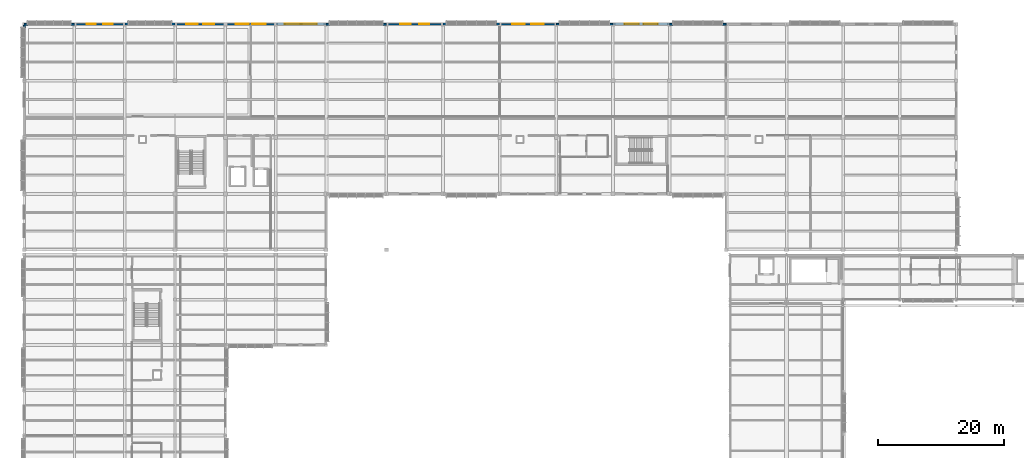
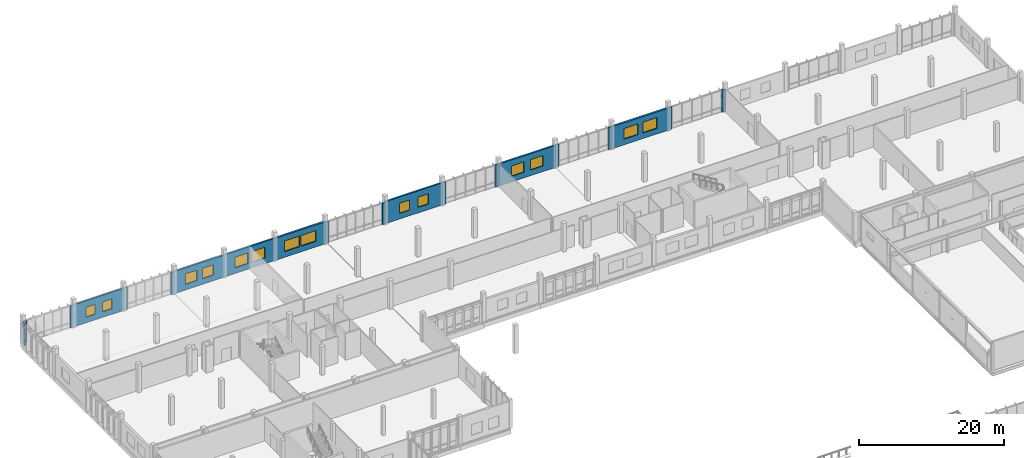
# One storey, part 161 of 177: 20 walls, 14 windows, 14 openings.
"""IFC4 building model written with IfcOpenShell, lengths in metres."""

from ifc_helpers import new_model, si_unit, direction, frame, frame_2d, origin, place, context, subcontext, project, spatial, rectangle, extrude, material, layer, layer_set, type_object, element, fill, save


model = new_model("IFC4")

# Units and contexts
model_context = context("Model", 3, precision=1e-05, world=origin(), true_north=direction((0.0, 1.0)))
body_context = subcontext(model_context, "Body", "Model", "MODEL_VIEW")
ifc_project = project(units=[si_unit("LENGTHUNIT", "METRE"), si_unit("AREAUNIT", "SQUARE_METRE"), si_unit("VOLUMEUNIT", "CUBIC_METRE"), si_unit("PLANEANGLEUNIT", "RADIAN"), si_unit("MASSUNIT", "GRAM", prefix="KILO")], contexts=[model_context])

# Site, building, storey
site_placement = place(None, origin())
site = spatial("IfcSite", under=ifc_project, at=site_placement, CompositionType="ELEMENT")
building_placement = place(site_placement, origin())
building = spatial("IfcBuilding", under=site, at=building_placement, Name="Chiffa Square Polytechnic", CompositionType="ELEMENT")
storey_placement = place(building_placement, frame((0.0, 0.0, 4.800048828125)))
storey = spatial("IfcBuildingStorey", under=building, at=storey_placement, Name="L01", CompositionType="ELEMENT", Elevation=4.800048828125)

# Walls
ifc_material_1 = material(Name="Precast concrete C40/50", Category="concrete")
ifc_layer_1 = layer(ifc_material_1, 0.260009765625, Name="Precast concrete C40/50")
ifc_layer_set_1 = layer_set([ifc_layer_1], Name="Precast concrete C40/50")
wall_type_1 = type_object("IfcWallType", Name="WL-EXT-PC260", PredefinedType="SOLIDWALL", material=ifc_layer_set_1)
wall_1_placement = place(storey_placement, frame((93.60009765625, 130.800048828125, 0.0), z_axis=(0.0, 0.0, 1.0), x_axis=(-1.0, 0.0, 0.0)))
element("IfcWall", 1, at=wall_1_placement, inside=storey, type_object=wall_type_1, Name="Facade column pier V5-L01-0278L", PredefinedType="SOLIDWALL", context=body_context, shape_type="SweptSolid", body=[
    extrude(rectangle(XDim=0.5400390625, YDim=0.260009765625, at=frame_2d((0.27001953125, 0.0))), origin(), (0.0, 0.0, 1.0), 3.71484375),
])
wall_2_placement = place(storey_placement, frame((85.139892578125, 130.800048828125, 0.0), z_axis=(0.0, 0.0, 1.0), x_axis=(-1.0, 0.0, 0.0)))
element("IfcWall", 2, at=wall_2_placement, inside=storey, type_object=wall_type_1, Name="Facade column pier V5-L01-0278R", PredefinedType="SOLIDWALL", context=body_context, shape_type="SweptSolid", body=[
    extrude(rectangle(XDim=0.539794921875, YDim=0.260009765625, at=frame_2d((0.27001953125, 0.0))), origin(), (0.0, 0.0, 1.0), 3.71484375),
])

# Wall, openings, windows
wall_3_placement = place(storey_placement, frame((66.60009765625, 130.800048828125, 0.0), z_axis=(0.0, 0.0, 1.0), x_axis=(-1.0, 0.0, 0.0)))
wall_3 = element("IfcWall", 3, at=wall_3_placement, inside=storey, type_object=wall_type_1, Name="Exterior wall WE-V5-L01-0281", PredefinedType="SOLIDWALL", context=body_context, shape_type="SweptSolid", body=[
    extrude(rectangle(XDim=9.0, YDim=0.260009765625, at=frame_2d((4.5, 0.0))), origin(), (0.0, 0.0, 1.0), 3.71484375),
])
opening_1_placement = place(wall_3_placement, frame((2.175048828125, 0.0, 0.949951171875)))
opening_1 = element("IfcOpeningElement", 4, at=opening_1_placement, cuts=wall_3, Name="Opening W-06", PredefinedType="OPENING", context=body_context, shape_type="SweptSolid", body=[
    extrude(rectangle(XDim=1.64990234375, YDim=1.699951171875, at=frame_2d((0.824951171875, 0.85009765625))), frame((0.0, 0.14013671875, 0.0), z_axis=(0.0, -1.0, 0.0), x_axis=(1.0, 0.0, 0.0)), (0.0, 0.0, 1.0), 0.280029296875),
])
opening_2_placement = place(wall_3_placement, frame((5.175048828125, 0.0, 0.949951171875)))
opening_2 = element("IfcOpeningElement", 5, at=opening_2_placement, cuts=wall_3, Name="Opening W-06", PredefinedType="OPENING", context=body_context, shape_type="SweptSolid", body=[
    extrude(rectangle(XDim=1.64990234375, YDim=1.699951171875, at=frame_2d((0.824951171875, 0.85009765625))), frame((0.0, 0.14013671875, 0.0), z_axis=(0.0, -1.0, 0.0), x_axis=(1.0, 0.0, 0.0)), (0.0, 0.0, 1.0), 0.280029296875),
])
ifc_material_2 = material(Name="Double glazing in thermally broken aluminium frame", Category="aluminium")
window_type_1 = type_object("IfcWindowType", Name="WIN-LAB-1650X1700", PartitioningType="DOUBLE_PANEL_VERTICAL", PredefinedType="WINDOW", material=ifc_material_2)
window_1_placement = place(opening_1_placement, origin())
window_1 = element("IfcWindow", 6, at=window_1_placement, inside=storey, type_object=window_type_1, Name="Facade window WN-L01-0173", OverallHeight=1.699951171875, OverallWidth=1.64990234375, PartitioningType="DOUBLE_PANEL_VERTICAL", PredefinedType="WINDOW", context=body_context, shape_type="SweptSolid", body=[
    extrude(rectangle(XDim=1.64990234375, YDim=1.699951171875, at=frame_2d((0.824951171875, 0.85009765625))), frame((0.0, 0.030029296875, 0.0), z_axis=(0.0, -1.0, 0.0), x_axis=(1.0, 0.0, 0.0)), (0.0, 0.0, 1.0), 0.06005859375),
])
fill(opening_1, window_1)
window_2_placement = place(opening_2_placement, origin())
window_2 = element("IfcWindow", 7, at=window_2_placement, inside=storey, type_object=window_type_1, Name="Facade window WN-L01-0174", OverallHeight=1.699951171875, OverallWidth=1.64990234375, PartitioningType="DOUBLE_PANEL_VERTICAL", PredefinedType="WINDOW", context=body_context, shape_type="SweptSolid", body=[
    extrude(rectangle(XDim=1.64990234375, YDim=1.699951171875, at=frame_2d((0.824951171875, 0.85009765625))), frame((0.0, 0.030029296875, 0.0), z_axis=(0.0, -1.0, 0.0), x_axis=(1.0, 0.0, 0.0)), (0.0, 0.0, 1.0), 0.06005859375),
])
fill(opening_2, window_2)

wall_4_placement = place(storey_placement, frame((40.0, 130.800048828125, 0.0), z_axis=(0.0, 0.0, 1.0), x_axis=(-1.0, 0.0, 0.0)))
wall_4 = element("IfcWall", 8, at=wall_4_placement, inside=storey, type_object=wall_type_1, Name="Exterior wall WE-V5-L01-0284", PredefinedType="SOLIDWALL", context=body_context, shape_type="SweptSolid", body=[
    extrude(rectangle(XDim=8.0, YDim=0.260009765625, at=frame_2d((4.0, 0.0))), origin(), (0.0, 0.0, 1.0), 3.71484375),
])
opening_3_placement = place(wall_4_placement, frame((1.616943359375, 0.0, 0.949951171875)))
opening_3 = element("IfcOpeningElement", 9, at=opening_3_placement, cuts=wall_4, Name="Opening W-03", PredefinedType="OPENING", context=body_context, shape_type="SweptSolid", body=[
    extrude(rectangle(XDim=2.10009765625, YDim=1.800048828125, at=frame_2d((1.050048828125, 0.89990234375))), frame((0.0, 0.14013671875, 0.0), z_axis=(0.0, -1.0, 0.0), x_axis=(1.0, 0.0, 0.0)), (0.0, 0.0, 1.0), 0.280029296875),
])
opening_4_placement = place(wall_4_placement, frame((4.282958984375, 0.0, 0.949951171875)))
opening_4 = element("IfcOpeningElement", 10, at=opening_4_placement, cuts=wall_4, Name="Opening W-03", PredefinedType="OPENING", context=body_context, shape_type="SweptSolid", body=[
    extrude(rectangle(XDim=2.10009765625, YDim=1.800048828125, at=frame_2d((1.050048828125, 0.89990234375))), frame((0.0, 0.14013671875, 0.0), z_axis=(0.0, -1.0, 0.0), x_axis=(1.0, 0.0, 0.0)), (0.0, 0.0, 1.0), 0.280029296875),
])
window_type_2 = type_object("IfcWindowType", Name="WIN-LAB-2100X1800", PartitioningType="DOUBLE_PANEL_VERTICAL", PredefinedType="WINDOW", material=ifc_material_2)
window_3_placement = place(opening_3_placement, origin())
window_3 = element("IfcWindow", 11, at=window_3_placement, inside=storey, type_object=window_type_2, Name="Facade window WN-L01-0177", OverallHeight=1.800048828125, OverallWidth=2.10009765625, PartitioningType="DOUBLE_PANEL_VERTICAL", PredefinedType="WINDOW", context=body_context, shape_type="SweptSolid", body=[
    extrude(rectangle(XDim=2.10009765625, YDim=1.800048828125, at=frame_2d((1.050048828125, 0.89990234375))), frame((0.0, 0.030029296875, 0.0), z_axis=(0.0, -1.0, 0.0), x_axis=(1.0, 0.0, 0.0)), (0.0, 0.0, 1.0), 0.06005859375),
])
fill(opening_3, window_3)
window_4_placement = place(opening_4_placement, origin())
window_4 = element("IfcWindow", 12, at=window_4_placement, inside=storey, type_object=window_type_2, Name="Facade window WN-L01-0178", OverallHeight=1.800048828125, OverallWidth=2.10009765625, PartitioningType="DOUBLE_PANEL_VERTICAL", PredefinedType="WINDOW", context=body_context, shape_type="SweptSolid", body=[
    extrude(rectangle(XDim=2.10009765625, YDim=1.800048828125, at=frame_2d((1.050048828125, 0.89990234375))), frame((0.0, 0.030029296875, 0.0), z_axis=(0.0, -1.0, 0.0), x_axis=(1.0, 0.0, 0.0)), (0.0, 0.0, 1.0), 0.06005859375),
])
fill(opening_4, window_4)

wall_5_placement = place(storey_placement, frame((16.0, 130.800048828125, 0.0), z_axis=(0.0, 0.0, 1.0), x_axis=(-1.0, 0.0, 0.0)))
wall_5 = element("IfcWall", 13, at=wall_5_placement, inside=storey, type_object=wall_type_1, Name="Exterior wall WE-V5-L01-0287", PredefinedType="SOLIDWALL", context=body_context, shape_type="SweptSolid", body=[
    extrude(rectangle(XDim=8.0, YDim=0.260009765625, at=frame_2d((4.0, 0.0))), origin(), (0.0, 0.0, 1.0), 3.71484375),
])
opening_5_placement = place(wall_5_placement, frame((1.9169921875, 0.0, 0.949951171875)))
opening_5 = element("IfcOpeningElement", 14, at=opening_5_placement, cuts=wall_5, Name="Opening W-07", PredefinedType="OPENING", context=body_context, shape_type="SweptSolid", body=[
    extrude(rectangle(XDim=1.5, YDim=1.64990234375, at=frame_2d((0.75, 0.824951171875))), frame((0.0, 0.14013671875, 0.0), z_axis=(0.0, -1.0, 0.0), x_axis=(1.0, 0.0, 0.0)), (0.0, 0.0, 1.0), 0.280029296875),
])
opening_6_placement = place(wall_5_placement, frame((4.5830078125, 0.0, 0.949951171875)))
opening_6 = element("IfcOpeningElement", 15, at=opening_6_placement, cuts=wall_5, Name="Opening W-07", PredefinedType="OPENING", context=body_context, shape_type="SweptSolid", body=[
    extrude(rectangle(XDim=1.5, YDim=1.64990234375, at=frame_2d((0.75, 0.824951171875))), frame((0.0, 0.14013671875, 0.0), z_axis=(0.0, -1.0, 0.0), x_axis=(1.0, 0.0, 0.0)), (0.0, 0.0, 1.0), 0.280029296875),
])
window_type_3 = type_object("IfcWindowType", Name="WIN-LAB-1500X1650", PartitioningType="DOUBLE_PANEL_VERTICAL", PredefinedType="WINDOW", material=ifc_material_2)
window_5_placement = place(opening_5_placement, origin())
window_5 = element("IfcWindow", 16, at=window_5_placement, inside=storey, type_object=window_type_3, Name="Facade window WN-L01-0181", OverallHeight=1.64990234375, OverallWidth=1.5, PartitioningType="DOUBLE_PANEL_VERTICAL", PredefinedType="WINDOW", context=body_context, shape_type="SweptSolid", body=[
    extrude(rectangle(XDim=1.5, YDim=1.64990234375, at=frame_2d((0.75, 0.824951171875))), frame((0.0, 0.030029296875, 0.0), z_axis=(0.0, -1.0, 0.0), x_axis=(1.0, 0.0, 0.0)), (0.0, 0.0, 1.0), 0.06005859375),
])
fill(opening_5, window_5)
window_6_placement = place(opening_6_placement, origin())
window_6 = element("IfcWindow", 17, at=window_6_placement, inside=storey, type_object=window_type_3, Name="Facade window WN-L01-0182", OverallHeight=1.64990234375, OverallWidth=1.5, PartitioningType="DOUBLE_PANEL_VERTICAL", PredefinedType="WINDOW", context=body_context, shape_type="SweptSolid", body=[
    extrude(rectangle(XDim=1.5, YDim=1.64990234375, at=frame_2d((0.75, 0.824951171875))), frame((0.0, 0.030029296875, 0.0), z_axis=(0.0, -1.0, 0.0), x_axis=(1.0, 0.0, 0.0)), (0.0, 0.0, 1.0), 0.06005859375),
])
fill(opening_6, window_6)

# Walls
ifc_layer_2 = layer(ifc_material_1, 0.280029296875, Name="Precast concrete C40/50")
ifc_layer_set_2 = layer_set([ifc_layer_2], Name="Precast concrete C40/50")
wall_type_2 = type_object("IfcWallType", Name="WL-EXT-PC280", PredefinedType="SOLIDWALL", material=ifc_layer_set_2)
wall_6_placement = place(storey_placement, frame((111.60009765625, 130.800048828125, 0.0), z_axis=(0.0, 0.0, 1.0), x_axis=(-1.0, 0.0, 0.0)))
element("IfcWall", 18, at=wall_6_placement, inside=storey, type_object=wall_type_2, Name="Facade column pier V5-L01-0276L", PredefinedType="SOLIDWALL", context=body_context, shape_type="SweptSolid", body=[
    extrude(rectangle(XDim=0.5400390625, YDim=0.280029296875, at=frame_2d((0.27001953125, 0.0))), origin(), (0.0, 0.0, 1.0), 3.71484375),
])
wall_7_placement = place(storey_placement, frame((103.139892578125, 130.800048828125, 0.0), z_axis=(0.0, 0.0, 1.0), x_axis=(-1.0, 0.0, 0.0)))
element("IfcWall", 19, at=wall_7_placement, inside=storey, type_object=wall_type_2, Name="Facade column pier V5-L01-0276R", PredefinedType="SOLIDWALL", context=body_context, shape_type="SweptSolid", body=[
    extrude(rectangle(XDim=0.539794921875, YDim=0.280029296875, at=frame_2d((0.27001953125, 0.0))), origin(), (0.0, 0.0, 1.0), 3.71484375),
])

# Wall, openings, windows
wall_8_placement = place(storey_placement, frame((84.60009765625, 130.800048828125, 0.0), z_axis=(0.0, 0.0, 1.0), x_axis=(-1.0, 0.0, 0.0)))
wall_8 = element("IfcWall", 20, at=wall_8_placement, inside=storey, type_object=wall_type_2, Name="Exterior wall WE-V5-L01-0279", PredefinedType="SOLIDWALL", context=body_context, shape_type="SweptSolid", body=[
    extrude(rectangle(XDim=9.0, YDim=0.280029296875, at=frame_2d((4.5, 0.0))), origin(), (0.0, 0.0, 1.0), 3.71484375),
])
opening_7_placement = place(wall_8_placement, frame((2.02490234375, 0.0, 0.949951171875)))
opening_7 = element("IfcOpeningElement", 21, at=opening_7_placement, cuts=wall_8, Name="Opening W-04", PredefinedType="OPENING", context=body_context, shape_type="SweptSolid", body=[
    extrude(rectangle(XDim=1.949951171875, YDim=1.75, at=frame_2d((0.97509765625, 0.875))), frame((0.0, 0.14990234375, 0.0), z_axis=(0.0, -1.0, 0.0), x_axis=(1.0, 0.0, 0.0)), (0.0, 0.0, 1.0), 0.300048828125),
])
opening_8_placement = place(wall_8_placement, frame((5.02490234375, 0.0, 0.949951171875)))
opening_8 = element("IfcOpeningElement", 22, at=opening_8_placement, cuts=wall_8, Name="Opening W-04", PredefinedType="OPENING", context=body_context, shape_type="SweptSolid", body=[
    extrude(rectangle(XDim=1.949951171875, YDim=1.75, at=frame_2d((0.97509765625, 0.875))), frame((0.0, 0.14990234375, 0.0), z_axis=(0.0, -1.0, 0.0), x_axis=(1.0, 0.0, 0.0)), (0.0, 0.0, 1.0), 0.300048828125),
])
window_type_4 = type_object("IfcWindowType", Name="WIN-LAB-1950X1750", PartitioningType="DOUBLE_PANEL_VERTICAL", PredefinedType="WINDOW", material=ifc_material_2)
window_7_placement = place(opening_7_placement, origin())
window_7 = element("IfcWindow", 23, at=window_7_placement, inside=storey, type_object=window_type_4, Name="Facade window WN-L01-0171", OverallHeight=1.75, OverallWidth=1.949951171875, PartitioningType="DOUBLE_PANEL_VERTICAL", PredefinedType="WINDOW", context=body_context, shape_type="SweptSolid", body=[
    extrude(rectangle(XDim=1.949951171875, YDim=1.75, at=frame_2d((0.97509765625, 0.875))), frame((0.0, 0.030029296875, 0.0), z_axis=(0.0, -1.0, 0.0), x_axis=(1.0, 0.0, 0.0)), (0.0, 0.0, 1.0), 0.06005859375),
])
fill(opening_7, window_7)
window_8_placement = place(opening_8_placement, origin())
window_8 = element("IfcWindow", 24, at=window_8_placement, inside=storey, type_object=window_type_4, Name="Facade window WN-L01-0172", OverallHeight=1.75, OverallWidth=1.949951171875, PartitioningType="DOUBLE_PANEL_VERTICAL", PredefinedType="WINDOW", context=body_context, shape_type="SweptSolid", body=[
    extrude(rectangle(XDim=1.949951171875, YDim=1.75, at=frame_2d((0.97509765625, 0.875))), frame((0.0, 0.030029296875, 0.0), z_axis=(0.0, -1.0, 0.0), x_axis=(1.0, 0.0, 0.0)), (0.0, 0.0, 1.0), 0.06005859375),
])
fill(opening_8, window_8)

# Walls
for number, where, z_axis, x_axis, name in (
    (25, (57.60009765625, 130.800048828125, 0.0), (0.0, 0.0, 1.0), (-1.0, 0.0, 0.0), "Facade column pier V5-L01-0282L"),
    (26, (48.5400390625, 130.800048828125, 0.0), (0.0, 0.0, 1.0), (-1.0, 0.0, 0.0), "Facade column pier V5-L01-0282R"),
):
    element("IfcWall", number, at=place(storey_placement, frame(where, z_axis=z_axis, x_axis=x_axis)), inside=storey, type_object=wall_type_2, Name=name, PredefinedType="SOLIDWALL", context=body_context, shape_type="SweptSolid", body=[
        extrude(rectangle(XDim=0.5400390625, YDim=0.280029296875, at=frame_2d((0.27001953125, 0.0))), origin(), (0.0, 0.0, 1.0), 3.56494140625),
    ])

# Wall, openings, windows
wall_9_placement = place(storey_placement, frame((32.0, 130.800048828125, 0.0), z_axis=(0.0, 0.0, 1.0), x_axis=(-1.0, 0.0, 0.0)))
wall_9 = element("IfcWall", 27, at=wall_9_placement, inside=storey, type_object=wall_type_2, Name="Exterior wall WE-V5-L01-0285", PredefinedType="SOLIDWALL", context=body_context, shape_type="SweptSolid", body=[
    extrude(rectangle(XDim=8.0, YDim=0.280029296875, at=frame_2d((4.0, 0.0))), origin(), (0.0, 0.0, 1.0), 3.71484375),
])
opening_9_placement = place(wall_9_placement, frame((1.76708984375, 0.0, 0.949951171875)))
opening_9 = element("IfcOpeningElement", 28, at=opening_9_placement, cuts=wall_9, Name="Opening W-05", PredefinedType="OPENING", context=body_context, shape_type="SweptSolid", body=[
    extrude(rectangle(XDim=1.800048828125, YDim=1.75, at=frame_2d((0.89990234375, 0.875))), frame((0.0, 0.14990234375, 0.0), z_axis=(0.0, -1.0, 0.0), x_axis=(1.0, 0.0, 0.0)), (0.0, 0.0, 1.0), 0.300048828125),
])
opening_10_placement = place(wall_9_placement, frame((4.43310546875, 0.0, 0.949951171875)))
opening_10 = element("IfcOpeningElement", 29, at=opening_10_placement, cuts=wall_9, Name="Opening W-05", PredefinedType="OPENING", context=body_context, shape_type="SweptSolid", body=[
    extrude(rectangle(XDim=1.800048828125, YDim=1.75, at=frame_2d((0.89990234375, 0.875))), frame((0.0, 0.14990234375, 0.0), z_axis=(0.0, -1.0, 0.0), x_axis=(1.0, 0.0, 0.0)), (0.0, 0.0, 1.0), 0.300048828125),
])
window_type_5 = type_object("IfcWindowType", Name="WIN-LAB-1800X1750", PartitioningType="DOUBLE_PANEL_VERTICAL", PredefinedType="WINDOW", material=ifc_material_2)
window_9_placement = place(opening_9_placement, origin())
window_9 = element("IfcWindow", 30, at=window_9_placement, inside=storey, type_object=window_type_5, Name="Facade window WN-L01-0179", OverallHeight=1.75, OverallWidth=1.800048828125, PartitioningType="DOUBLE_PANEL_VERTICAL", PredefinedType="WINDOW", context=body_context, shape_type="SweptSolid", body=[
    extrude(rectangle(XDim=1.800048828125, YDim=1.75, at=frame_2d((0.89990234375, 0.875))), frame((0.0, 0.030029296875, 0.0), z_axis=(0.0, -1.0, 0.0), x_axis=(1.0, 0.0, 0.0)), (0.0, 0.0, 1.0), 0.06005859375),
])
fill(opening_9, window_9)
window_10_placement = place(opening_10_placement, origin())
window_10 = element("IfcWindow", 31, at=window_10_placement, inside=storey, type_object=window_type_5, Name="Facade window WN-L01-0180", OverallHeight=1.75, OverallWidth=1.800048828125, PartitioningType="DOUBLE_PANEL_VERTICAL", PredefinedType="WINDOW", context=body_context, shape_type="SweptSolid", body=[
    extrude(rectangle(XDim=1.800048828125, YDim=1.75, at=frame_2d((0.89990234375, 0.875))), frame((0.0, 0.030029296875, 0.0), z_axis=(0.0, -1.0, 0.0), x_axis=(1.0, 0.0, 0.0)), (0.0, 0.0, 1.0), 0.06005859375),
])
fill(opening_10, window_10)

# Walls
for number, where, z_axis, x_axis, name in (
    (32, (8.0, 130.800048828125, 0.0), (0.0, 0.0, 1.0), (-1.0, 0.0, 0.0), "Facade column pier V5-L01-0288L"),
    (33, (0.5400390625, 130.800048828125, 0.0), (0.0, 0.0, 1.0), (-1.0, 0.0, 0.0), "Facade column pier V5-L01-0288R"),
):
    element("IfcWall", number, at=place(storey_placement, frame(where, z_axis=z_axis, x_axis=x_axis)), inside=storey, type_object=wall_type_2, Name=name, PredefinedType="SOLIDWALL", context=body_context, shape_type="SweptSolid", body=[
        extrude(rectangle(XDim=0.5400390625, YDim=0.280029296875, at=frame_2d((0.27001953125, 0.0))), origin(), (0.0, 0.0, 1.0), 3.71484375),
    ])
wall_10_placement = place(storey_placement, frame((0.0, 130.657958984375, 0.0), z_axis=(0.0, 0.0, 1.0), x_axis=(0.0, -1.0, 0.0)))
element("IfcWall", 34, at=wall_10_placement, inside=storey, type_object=wall_type_2, Name="Facade column pier V5-L01-0289L", PredefinedType="SOLIDWALL", context=body_context, shape_type="SweptSolid", body=[
    extrude(rectangle(XDim=0.39794921875, YDim=0.280029296875, at=frame_2d((0.198974609375, 0.0))), origin(), (0.0, 0.0, 1.0), 3.71484375),
])

# Wall, openings, windows
ifc_layer_3 = layer(ifc_material_1, 0.320068359375, Name="Precast concrete C40/50")
ifc_layer_set_3 = layer_set([ifc_layer_3], Name="Precast concrete C40/50")
wall_type_3 = type_object("IfcWallType", Name="WL-EXT-PC320", PredefinedType="SOLIDWALL", material=ifc_layer_set_3)
wall_11_placement = place(storey_placement, frame((102.60009765625, 130.800048828125, 0.0), z_axis=(0.0, 0.0, 1.0), x_axis=(-1.0, 0.0, 0.0)))
wall_11 = element("IfcWall", 35, at=wall_11_placement, inside=storey, type_object=wall_type_3, Name="Exterior wall WE-V5-L01-0277", PredefinedType="SOLIDWALL", context=body_context, shape_type="SweptSolid", body=[
    extrude(rectangle(XDim=9.0, YDim=0.320068359375, at=frame_2d((4.5, 0.0))), origin(), (0.0, 0.0, 1.0), 3.71484375),
])
opening_11_placement = place(wall_11_placement, frame((1.875, 0.0, 0.949951171875)))
opening_11 = element("IfcOpeningElement", 36, at=opening_11_placement, cuts=wall_11, Name="Opening W-02", PredefinedType="OPENING", context=body_context, shape_type="SweptSolid", body=[
    extrude(rectangle(XDim=2.25, YDim=1.800048828125, at=frame_2d((1.125, 0.89990234375))), frame((0.0, 0.169921875, 0.0), z_axis=(0.0, -1.0, 0.0), x_axis=(1.0, 0.0, 0.0)), (0.0, 0.0, 1.0), 0.340087890625),
])
opening_12_placement = place(wall_11_placement, frame((4.875, 0.0, 0.949951171875)))
opening_12 = element("IfcOpeningElement", 37, at=opening_12_placement, cuts=wall_11, Name="Opening W-02", PredefinedType="OPENING", context=body_context, shape_type="SweptSolid", body=[
    extrude(rectangle(XDim=2.25, YDim=1.800048828125, at=frame_2d((1.125, 0.89990234375))), frame((0.0, 0.169921875, 0.0), z_axis=(0.0, -1.0, 0.0), x_axis=(1.0, 0.0, 0.0)), (0.0, 0.0, 1.0), 0.340087890625),
])
window_type_6 = type_object("IfcWindowType", Name="WIN-LAB-2250X1800", PartitioningType="DOUBLE_PANEL_VERTICAL", PredefinedType="WINDOW", material=ifc_material_2)
window_11_placement = place(opening_11_placement, origin())
window_11 = element("IfcWindow", 38, at=window_11_placement, inside=storey, type_object=window_type_6, Name="Facade window WN-L01-0169", OverallHeight=1.800048828125, OverallWidth=2.25, PartitioningType="DOUBLE_PANEL_VERTICAL", PredefinedType="WINDOW", context=body_context, shape_type="SweptSolid", body=[
    extrude(rectangle(XDim=2.25, YDim=1.800048828125, at=frame_2d((1.125, 0.89990234375))), frame((0.0, 0.030029296875, 0.0), z_axis=(0.0, -1.0, 0.0), x_axis=(1.0, 0.0, 0.0)), (0.0, 0.0, 1.0), 0.06005859375),
])
fill(opening_11, window_11)
window_12_placement = place(opening_12_placement, origin())
window_12 = element("IfcWindow", 39, at=window_12_placement, inside=storey, type_object=window_type_6, Name="Facade window WN-L01-0170", OverallHeight=1.800048828125, OverallWidth=2.25, PartitioningType="DOUBLE_PANEL_VERTICAL", PredefinedType="WINDOW", context=body_context, shape_type="SweptSolid", body=[
    extrude(rectangle(XDim=2.25, YDim=1.800048828125, at=frame_2d((1.125, 0.89990234375))), frame((0.0, 0.030029296875, 0.0), z_axis=(0.0, -1.0, 0.0), x_axis=(1.0, 0.0, 0.0)), (0.0, 0.0, 1.0), 0.06005859375),
])
fill(opening_12, window_12)

# Walls
wall_12_placement = place(storey_placement, frame((75.60009765625, 130.800048828125, 0.0), z_axis=(0.0, 0.0, 1.0), x_axis=(-1.0, 0.0, 0.0)))
element("IfcWall", 40, at=wall_12_placement, inside=storey, type_object=wall_type_3, Name="Facade column pier V5-L01-0280L", PredefinedType="SOLIDWALL", context=body_context, shape_type="SweptSolid", body=[
    extrude(rectangle(XDim=0.5400390625, YDim=0.320068359375, at=frame_2d((0.27001953125, 0.0))), origin(), (0.0, 0.0, 1.0), 3.71484375),
])
wall_13_placement = place(storey_placement, frame((67.139892578125, 130.800048828125, 0.0), z_axis=(0.0, 0.0, 1.0), x_axis=(-1.0, 0.0, 0.0)))
element("IfcWall", 41, at=wall_13_placement, inside=storey, type_object=wall_type_3, Name="Facade column pier V5-L01-0280R", PredefinedType="SOLIDWALL", context=body_context, shape_type="SweptSolid", body=[
    extrude(rectangle(XDim=0.539794921875, YDim=0.320068359375, at=frame_2d((0.27001953125, 0.0))), origin(), (0.0, 0.0, 1.0), 3.71484375),
])

# Wall, openings, windows
wall_14_placement = place(storey_placement, frame((48.0, 130.800048828125, 0.0), z_axis=(0.0, 0.0, 1.0), x_axis=(-1.0, 0.0, 0.0)))
wall_14 = element("IfcWall", 42, at=wall_14_placement, inside=storey, type_object=wall_type_3, Name="Exterior wall WE-V5-L01-0283", PredefinedType="SOLIDWALL", context=body_context, shape_type="SweptSolid", body=[
    extrude(rectangle(XDim=8.0, YDim=0.320068359375, at=frame_2d((4.0, 0.0))), origin(), (0.0, 0.0, 1.0), 3.71484375),
])
opening_13_placement = place(wall_14_placement, frame((1.467041015625, 0.0, 0.949951171875)))
opening_13 = element("IfcOpeningElement", 43, at=opening_13_placement, cuts=wall_14, Name="Opening W-01", PredefinedType="OPENING", context=body_context, shape_type="SweptSolid", body=[
    extrude(rectangle(XDim=2.39990234375, YDim=1.800048828125, at=frame_2d((1.199951171875, 0.89990234375))), frame((0.0, 0.169921875, 0.0), z_axis=(0.0, -1.0, 0.0), x_axis=(1.0, 0.0, 0.0)), (0.0, 0.0, 1.0), 0.340087890625),
])
opening_14_placement = place(wall_14_placement, frame((4.133056640625, 0.0, 0.949951171875)))
opening_14 = element("IfcOpeningElement", 44, at=opening_14_placement, cuts=wall_14, Name="Opening W-01", PredefinedType="OPENING", context=body_context, shape_type="SweptSolid", body=[
    extrude(rectangle(XDim=2.39990234375, YDim=1.800048828125, at=frame_2d((1.199951171875, 0.89990234375))), frame((0.0, 0.169921875, 0.0), z_axis=(0.0, -1.0, 0.0), x_axis=(1.0, 0.0, 0.0)), (0.0, 0.0, 1.0), 0.340087890625),
])
window_type_7 = type_object("IfcWindowType", Name="WIN-LAB-2400X1800", PartitioningType="DOUBLE_PANEL_VERTICAL", PredefinedType="WINDOW", material=ifc_material_2)
window_13_placement = place(opening_13_placement, origin())
window_13 = element("IfcWindow", 45, at=window_13_placement, inside=storey, type_object=window_type_7, Name="Facade window WN-L01-0175", OverallHeight=1.800048828125, OverallWidth=2.39990234375, PartitioningType="DOUBLE_PANEL_VERTICAL", PredefinedType="WINDOW", context=body_context, shape_type="SweptSolid", body=[
    extrude(rectangle(XDim=2.39990234375, YDim=1.800048828125, at=frame_2d((1.199951171875, 0.89990234375))), frame((0.0, 0.030029296875, 0.0), z_axis=(0.0, -1.0, 0.0), x_axis=(1.0, 0.0, 0.0)), (0.0, 0.0, 1.0), 0.06005859375),
])
fill(opening_13, window_13)
window_14_placement = place(opening_14_placement, origin())
window_14 = element("IfcWindow", 46, at=window_14_placement, inside=storey, type_object=window_type_7, Name="Facade window WN-L01-0176", OverallHeight=1.800048828125, OverallWidth=2.39990234375, PartitioningType="DOUBLE_PANEL_VERTICAL", PredefinedType="WINDOW", context=body_context, shape_type="SweptSolid", body=[
    extrude(rectangle(XDim=2.39990234375, YDim=1.800048828125, at=frame_2d((1.199951171875, 0.89990234375))), frame((0.0, 0.030029296875, 0.0), z_axis=(0.0, -1.0, 0.0), x_axis=(1.0, 0.0, 0.0)), (0.0, 0.0, 1.0), 0.06005859375),
])
fill(opening_14, window_14)

# Walls
for number, where, z_axis, x_axis, name in (
    (47, (24.0, 130.800048828125, 0.0), (0.0, 0.0, 1.0), (-1.0, 0.0, 0.0), "Facade column pier V5-L01-0286L"),
    (48, (16.5400390625, 130.800048828125, 0.0), (0.0, 0.0, 1.0), (-1.0, 0.0, 0.0), "Facade column pier V5-L01-0286R"),
):
    element("IfcWall", number, at=place(storey_placement, frame(where, z_axis=z_axis, x_axis=x_axis)), inside=storey, type_object=wall_type_3, Name=name, PredefinedType="SOLIDWALL", context=body_context, shape_type="SweptSolid", body=[
        extrude(rectangle(XDim=0.5400390625, YDim=0.320068359375, at=frame_2d((0.27001953125, 0.0))), origin(), (0.0, 0.0, 1.0), 3.71484375),
    ])

save(model, "model.ifc")
